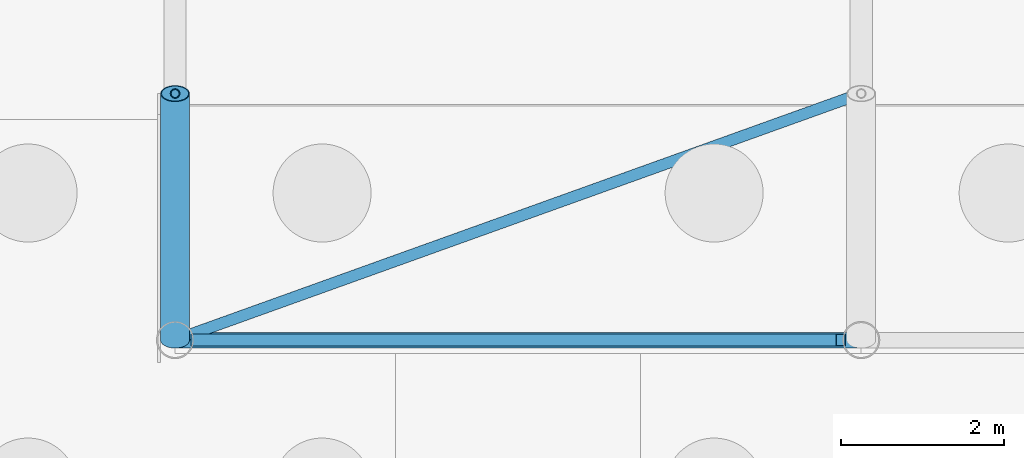
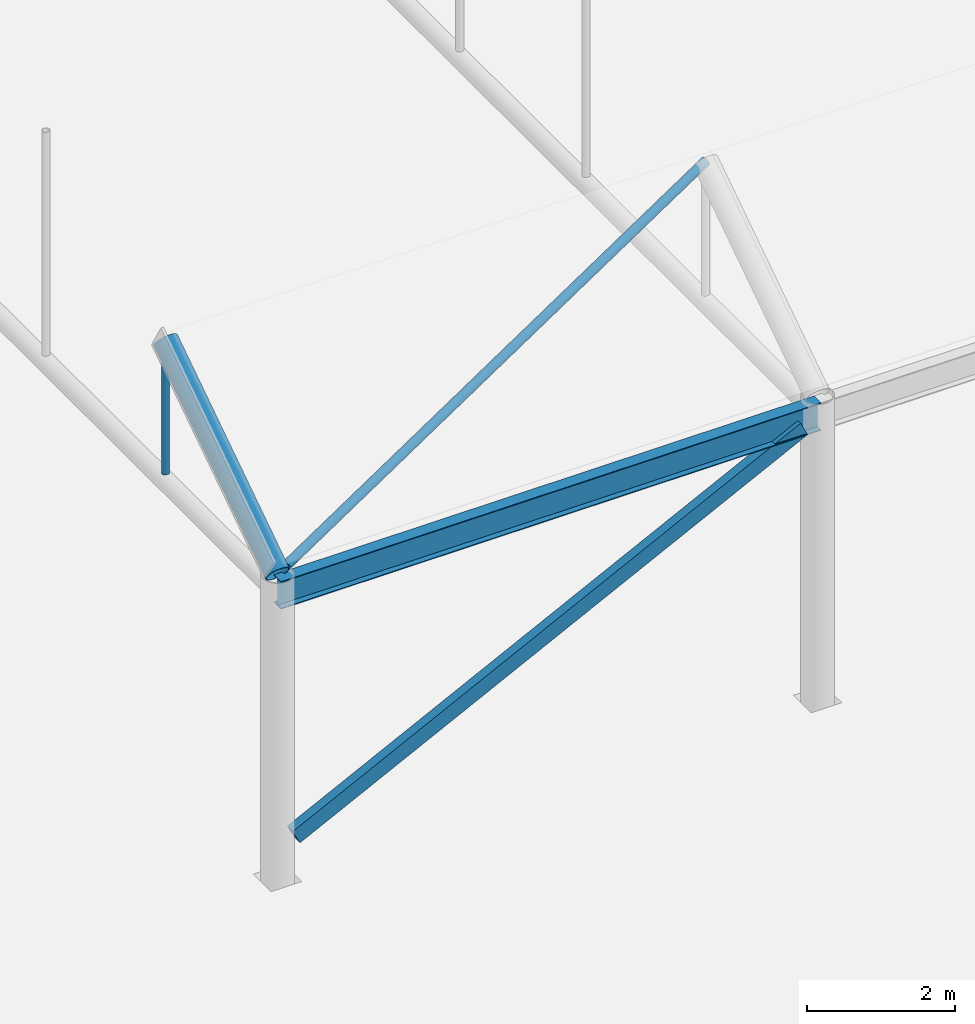
# One storey, part 36 of 212: 4 members, 1 beam.
"""IFC4 building model written with IfcOpenShell, lengths in metres."""

from ifc_helpers import new_model, si_unit, direction, frame, origin, origin_2d, place, context, subcontext, project, spatial, hollow_rectangle, hollow_circle, i_section, extrude, material, material_profile, profile_set, type_object, element, save


model = new_model("IFC4")

# Units and contexts
model_context = context("Model", 3, precision=1e-05, world=origin(), true_north=direction((0.0, 1.0)))
body_context = subcontext(model_context, "Body", "Model", "MODEL_VIEW")
ifc_project = project(units=[si_unit("LENGTHUNIT", "METRE"), si_unit("AREAUNIT", "SQUARE_METRE"), si_unit("VOLUMEUNIT", "CUBIC_METRE"), si_unit("PLANEANGLEUNIT", "RADIAN"), si_unit("MASSUNIT", "GRAM", prefix="KILO")], contexts=[model_context])

# Site, building, storey
site_placement = place(None, origin())
site = spatial("IfcSite", under=ifc_project, at=site_placement, CompositionType="ELEMENT")
building_placement = place(site_placement, origin())
building = spatial("IfcBuilding", under=site, at=building_placement, Name="Catenary Quay Ferry Terminal", CompositionType="ELEMENT")
storey_placement = place(building_placement, origin())
storey = spatial("IfcBuildingStorey", under=building, at=storey_placement, Name="L00", CompositionType="ELEMENT", Elevation=0.0)

# Beam
ifc_material_1 = material(Name="Steel S355", Category="steel")
ifc_material_profile_1 = material_profile(ifc_material_1, i_section(OverallWidth=0.18994140625, OverallDepth=0.453369140625, WebThickness=0.008544921875, FlangeThickness=0.0126953125, at=origin_2d()), Name="UB 457x191x67")
ifc_profile_set_1 = profile_set([ifc_material_profile_1], Name="Steel S355")
beam_type = type_object("IfcBeamType", Name="B1 UB 457x191x67", PredefinedType="BEAM", material=ifc_profile_set_1)
beam_placement = place(storey_placement, frame((16.800048828125, 16.800048828125, 4.699951171875), z_axis=(1.0, 0.0, 0.0), x_axis=(0.0, 1.0, 0.0)))
element("IfcBeam", 1, at=beam_placement, inside=storey, type_object=beam_type, Name="Eaves beam B-CA3-1", PredefinedType="BEAM", context=body_context, shape_type="SweptSolid", body=[
    extrude(i_section(OverallWidth=0.18994140625, OverallDepth=0.453369140625, WebThickness=0.008544921875, FlangeThickness=0.0126953125, at=origin_2d()), origin(), (0.0, 0.0, 1.0), 8.39990234375),
])

# Members
ifc_material_2 = material(Name="Steel S355", Category="steel")
ifc_material_profile_2 = material_profile(ifc_material_2, hollow_circle(Radius=0.06982421875, WallThickness=0.008056640625, at=origin_2d()), Name="CHS 139.7x8")
ifc_profile_set_2 = profile_set([ifc_material_profile_2], Name="Steel S355")
member_type_1 = type_object("IfcMemberType", Name="BR1 CHS 139.7x8", PredefinedType="BRACE", material=ifc_profile_set_2)
member_1_placement = place(storey_placement, frame((16.971923828125, 16.862060546875, 5.041015625), z_axis=(0.918046067041, 0.329823208704, 0.220018339668), x_axis=(-0.338108303974, 0.941107206849, 0.0)))
element("IfcMember", 2, at=member_1_placement, inside=storey, type_object=member_type_1, Name="Roof brace BR-CA-01-01", PredefinedType="BRACE", context=body_context, shape_type="SweptSolid", body=[
    extrude(hollow_circle(Radius=0.06982421875, WallThickness=0.008056640625, at=origin_2d()), origin(), (0.0, 0.0, 1.0), 8.962646484375),
])
ifc_material_3 = material(Name="Steel S355", Category="steel")
ifc_material_profile_3 = material_profile(ifc_material_3, hollow_rectangle(XDim=0.14990234375, YDim=0.25, WallThickness=0.010009765625, at=origin_2d()), Name="RHS 250x150x10")
ifc_profile_set_3 = profile_set([ifc_material_profile_3], Name="Steel S355")
member_type_2 = type_object("IfcMemberType", Name="BR2 RHS 250x150x10", PredefinedType="BRACE", material=ifc_profile_set_3)
member_2_placement = place(storey_placement, frame((17.050048828125, 16.800048828125, 0.625), z_axis=(0.894427191, 0.0, 0.4472135955), x_axis=(0.0, 1.0, 0.0)))
element("IfcMember", 3, at=member_2_placement, inside=storey, type_object=member_type_2, Name="Wall brace BR-CA3-1", PredefinedType="BRACE", context=body_context, shape_type="SweptSolid", body=[
    extrude(hollow_rectangle(XDim=0.14990234375, YDim=0.25, WallThickness=0.010009765625, at=origin_2d()), origin(), (0.0, 0.0, 1.0), 8.832275390625),
])
ifc_material_4 = material(Name="Steel S355", Category="steel")
ifc_material_profile_4 = material_profile(ifc_material_4, hollow_circle(Radius=0.05712890625, WallThickness=0.00634765625, at=origin_2d()), Name="CHS 114.3x6.3")
ifc_profile_set_4 = profile_set([ifc_material_profile_4], Name="Steel S355")
member_type_3 = type_object("IfcMemberType", Name="HG1 CHS 114.3x6.3", PredefinedType="POST", material=ifc_profile_set_4)
member_3_placement = place(storey_placement, frame((16.800048828125, 19.818115234375, 4.830078125), z_axis=(0.0, 0.0, 1.0), x_axis=(1.0, 0.0, 0.0)))
element("IfcMember", 4, at=member_3_placement, inside=storey, type_object=member_type_3, Name="Hanger CA-01-01", PredefinedType="POST", context=body_context, shape_type="SweptSolid", body=[
    extrude(hollow_circle(Radius=0.05712890625, WallThickness=0.00634765625, at=origin_2d()), origin(), (0.0, 0.0, 1.0), 2.010986328125),
])
ifc_material_5 = material(Name="Steel S355", Category="steel")
ifc_material_profile_5 = material_profile(ifc_material_5, hollow_circle(Radius=0.177734375, WallThickness=0.012451171875, at=origin_2d()), Name="CHS 355.6x12.5")
ifc_profile_set_5 = profile_set([ifc_material_profile_5], Name="Steel S355")
member_type_4 = type_object("IfcMemberType", Name="VR1 CHS 355.6x12.5", PredefinedType="RAFTER", material=ifc_profile_set_5)
member_4_placement = place(storey_placement, frame((16.800048828125, 16.800048828125, 5.0), z_axis=(0.0, 0.831936388081, 0.554871017613), x_axis=(-1.0, 0.0, 0.0)))
element("IfcMember", 5, at=member_4_placement, inside=storey, type_object=member_type_4, Name="rib CA-01-01", PredefinedType="RAFTER", context=body_context, shape_type="SweptSolid", body=[
    extrude(hollow_circle(Radius=0.177734375, WallThickness=0.012451171875, at=origin_2d()), origin(), (0.0, 0.0, 1.0), 3.627685546875),
])

save(model, "model.ifc")
